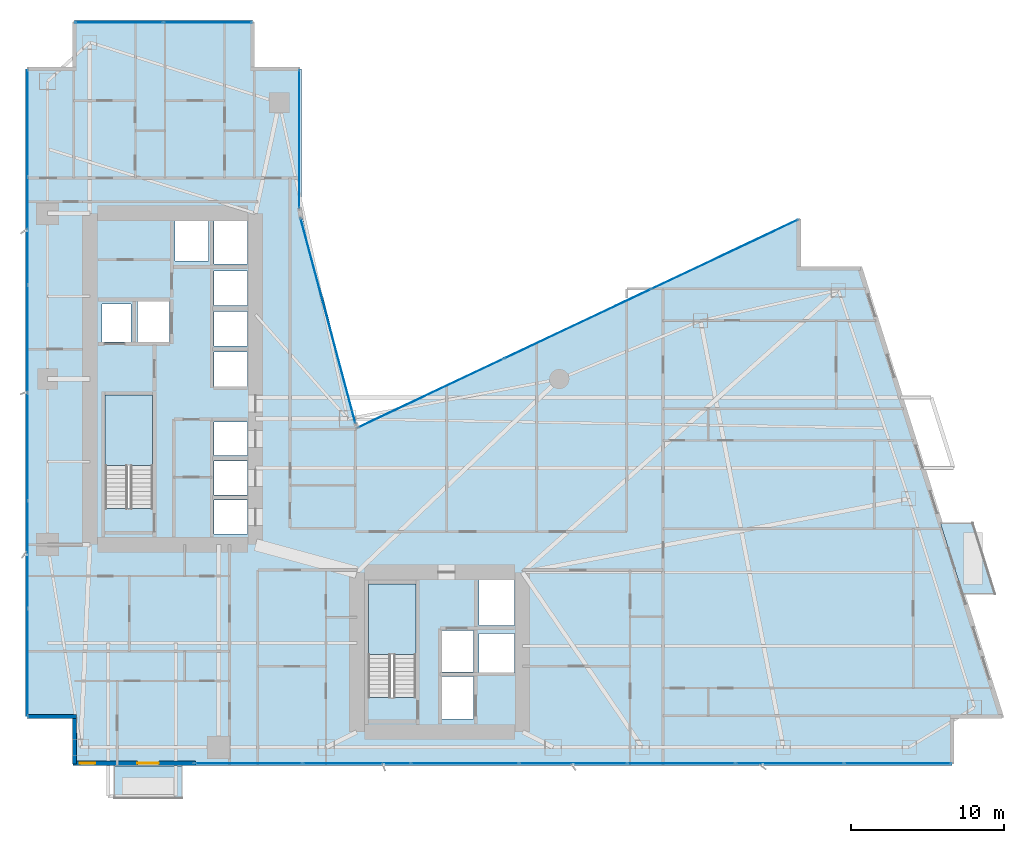
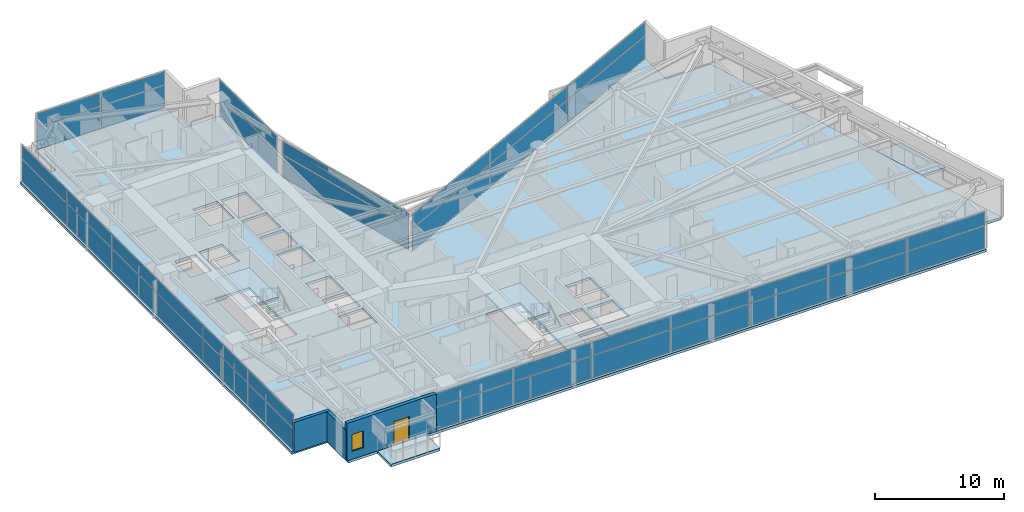
# One storey, part 21 of 29: 40 plates, 5 slabs, 3 walls, 1 door, 1 window, 2 openings, 8 elements without a shape of their own.
"""IFC4 building model written with IfcOpenShell, lengths in metres."""

from ifc_helpers import new_model, si_unit, direction, frame, frame_2d, origin, origin_2d, place, context, subcontext, project, spatial, polyline, rectangle, outline, extrude, material, layer, layer_set, type_object, element, fill, aggregate, save


model = new_model("IFC4")

# Units and contexts
model_context = context("Model", 3, precision=1e-05, world=origin(), true_north=direction((0.0, 1.0)))
body_context = subcontext(model_context, "Body", "Model", "MODEL_VIEW")
ifc_project = project(units=[si_unit("LENGTHUNIT", "METRE"), si_unit("AREAUNIT", "SQUARE_METRE"), si_unit("VOLUMEUNIT", "CUBIC_METRE"), si_unit("PLANEANGLEUNIT", "RADIAN"), si_unit("MASSUNIT", "GRAM", prefix="KILO")], contexts=[model_context])

# Site, building, storey
site_placement = place(None, origin())
site = spatial("IfcSite", under=ifc_project, at=site_placement, CompositionType="ELEMENT")
building_placement = place(site_placement, origin())
building = spatial("IfcBuilding", under=site, at=building_placement, Name="Calvorn Quay Hotel", CompositionType="ELEMENT")
storey_placement = place(building_placement, frame((0.0, 0.0, 62.199951171875)))
storey = spatial("IfcBuildingStorey", under=building, at=storey_placement, Name="L14", CompositionType="ELEMENT", Elevation=62.199951171875)

# Curtain wall, plates
ifc_material_1 = material(Name="Pale Anodised Aluminium and Low-E Glass", Category="aluminium")
ifc_layer_1 = layer(ifc_material_1, 0.219970703125)
ifc_layer_set_1 = layer_set([ifc_layer_1], Name="CW-SYS-Z1")
curtain_wall_type = type_object("IfcCurtainWallType", Name="CW-SYS-Z1", PredefinedType="NOTDEFINED", material=ifc_layer_set_1)
curtain_wall_1_placement = place(storey_placement, origin())
curtain_wall_1 = element("IfcCurtainWall", 1, at=curtain_wall_1_placement, inside=storey, type_object=curtain_wall_type, Name="Tower West Curtain Wall (L14)", PredefinedType="NOTDEFINED")
ifc_material_2 = material(Name="Low-E Laminated Double Glazing", Category="glass")
ifc_layer_2 = layer(ifc_material_2, 0.028076171875)
ifc_layer_set_2 = layer_set([ifc_layer_2], Name="CW-SYS-Z1-PAN")
plate_type = type_object("IfcPlateType", Name="CW-SYS-Z1-PAN", PredefinedType="CURTAIN_PANEL", material=ifc_layer_set_2)
plate_1_placement = place(storey_placement, frame((0.14990234375, 9.131591796875, 0.06005859375), z_axis=(0.0, 0.0, 1.0), x_axis=(0.0, 1.0, 0.0)))
plate_1 = element("IfcPlate", 2, at=plate_1_placement, type_object=plate_type, Name="CW-L14-W panel 1.1", PredefinedType="CURTAIN_PANEL", context=body_context, shape_type="SweptSolid", body=[
    extrude(rectangle(XDim=6.943359375, YDim=0.028076171875, at=origin_2d()), origin(), (0.0, 0.0, 1.0), 2.110107421875),
])
plate_2_placement = place(storey_placement, frame((0.14990234375, 9.131591796875, 2.22998046875), z_axis=(0.0, 0.0, 1.0), x_axis=(0.0, 1.0, 0.0)))
plate_2 = element("IfcPlate", 3, at=plate_2_placement, type_object=plate_type, Name="CW-L14-W panel 1.2", PredefinedType="CURTAIN_PANEL", context=body_context, shape_type="SweptSolid", body=[
    extrude(rectangle(XDim=6.943359375, YDim=0.028076171875, at=origin_2d()), origin(), (0.0, 0.0, 1.0), 1.27001953125),
])
plate_3_placement = place(storey_placement, frame((0.14990234375, 16.14990234375, 0.06005859375), z_axis=(0.0, 0.0, 1.0), x_axis=(0.0, 1.0, 0.0)))
plate_3 = element("IfcPlate", 4, at=plate_3_placement, type_object=plate_type, Name="CW-L14-W panel 2.1", PredefinedType="CURTAIN_PANEL", context=body_context, shape_type="SweptSolid", body=[
    extrude(rectangle(XDim=6.973388671875, YDim=0.028076171875, at=origin_2d()), origin(), (0.0, 0.0, 1.0), 2.110107421875),
])
plate_4_placement = place(storey_placement, frame((0.14990234375, 16.14990234375, 2.22998046875), z_axis=(0.0, 0.0, 1.0), x_axis=(0.0, 1.0, 0.0)))
plate_4 = element("IfcPlate", 5, at=plate_4_placement, type_object=plate_type, Name="CW-L14-W panel 2.2", PredefinedType="CURTAIN_PANEL", context=body_context, shape_type="SweptSolid", body=[
    extrude(rectangle(XDim=6.973388671875, YDim=0.028076171875, at=origin_2d()), origin(), (0.0, 0.0, 1.0), 1.27001953125),
])
plate_5_placement = place(storey_placement, frame((0.14990234375, 23.183349609375, 0.06005859375), z_axis=(0.0, 0.0, 1.0), x_axis=(0.0, 1.0, 0.0)))
plate_5 = element("IfcPlate", 6, at=plate_5_placement, type_object=plate_type, Name="CW-L14-W panel 3.1", PredefinedType="CURTAIN_PANEL", context=body_context, shape_type="SweptSolid", body=[
    extrude(rectangle(XDim=6.973388671875, YDim=0.028076171875, at=origin_2d()), origin(), (0.0, 0.0, 1.0), 2.110107421875),
])
plate_6_placement = place(storey_placement, frame((0.14990234375, 23.183349609375, 2.22998046875), z_axis=(0.0, 0.0, 1.0), x_axis=(0.0, 1.0, 0.0)))
plate_6 = element("IfcPlate", 7, at=plate_6_placement, type_object=plate_type, Name="CW-L14-W panel 3.2", PredefinedType="CURTAIN_PANEL", context=body_context, shape_type="SweptSolid", body=[
    extrude(rectangle(XDim=6.973388671875, YDim=0.028076171875, at=origin_2d()), origin(), (0.0, 0.0, 1.0), 1.27001953125),
])
plate_7_placement = place(storey_placement, frame((0.14990234375, 30.216552734375, 0.06005859375), z_axis=(0.0, 0.0, 1.0), x_axis=(0.0, 1.0, 0.0)))
plate_7 = element("IfcPlate", 8, at=plate_7_placement, type_object=plate_type, Name="CW-L14-W panel 4.1", PredefinedType="CURTAIN_PANEL", context=body_context, shape_type="SweptSolid", body=[
    extrude(rectangle(XDim=6.973388671875, YDim=0.028076171875, at=origin_2d()), origin(), (0.0, 0.0, 1.0), 2.110107421875),
])
plate_8_placement = place(storey_placement, frame((0.14990234375, 30.216552734375, 2.22998046875), z_axis=(0.0, 0.0, 1.0), x_axis=(0.0, 1.0, 0.0)))
plate_8 = element("IfcPlate", 9, at=plate_8_placement, type_object=plate_type, Name="CW-L14-W panel 4.2", PredefinedType="CURTAIN_PANEL", context=body_context, shape_type="SweptSolid", body=[
    extrude(rectangle(XDim=6.973388671875, YDim=0.028076171875, at=origin_2d()), origin(), (0.0, 0.0, 1.0), 1.27001953125),
])
plate_9_placement = place(storey_placement, frame((0.14990234375, 37.25, 0.06005859375), z_axis=(0.0, 0.0, 1.0), x_axis=(0.0, 1.0, 0.0)))
plate_9 = element("IfcPlate", 10, at=plate_9_placement, type_object=plate_type, Name="CW-L14-W panel 5.1", PredefinedType="CURTAIN_PANEL", context=body_context, shape_type="SweptSolid", body=[
    extrude(rectangle(XDim=6.973388671875, YDim=0.028076171875, at=origin_2d()), origin(), (0.0, 0.0, 1.0), 2.110107421875),
])
plate_10_placement = place(storey_placement, frame((0.14990234375, 37.25, 2.22998046875), z_axis=(0.0, 0.0, 1.0), x_axis=(0.0, 1.0, 0.0)))
plate_10 = element("IfcPlate", 11, at=plate_10_placement, type_object=plate_type, Name="CW-L14-W panel 5.2", PredefinedType="CURTAIN_PANEL", context=body_context, shape_type="SweptSolid", body=[
    extrude(rectangle(XDim=6.973388671875, YDim=0.028076171875, at=origin_2d()), origin(), (0.0, 0.0, 1.0), 1.27001953125),
])
plate_11_placement = place(storey_placement, frame((0.14990234375, 44.268310546875, 0.06005859375), z_axis=(0.0, 0.0, 1.0), x_axis=(0.0, 1.0, 0.0)))
plate_11 = element("IfcPlate", 12, at=plate_11_placement, type_object=plate_type, Name="CW-L14-W panel 6.1", PredefinedType="CURTAIN_PANEL", context=body_context, shape_type="SweptSolid", body=[
    extrude(rectangle(XDim=6.943359375, YDim=0.028076171875, at=origin_2d()), origin(), (0.0, 0.0, 1.0), 2.110107421875),
])
plate_12_placement = place(storey_placement, frame((0.14990234375, 44.268310546875, 2.22998046875), z_axis=(0.0, 0.0, 1.0), x_axis=(0.0, 1.0, 0.0)))
plate_12 = element("IfcPlate", 13, at=plate_12_placement, type_object=plate_type, Name="CW-L14-W panel 6.2", PredefinedType="CURTAIN_PANEL", context=body_context, shape_type="SweptSolid", body=[
    extrude(rectangle(XDim=6.943359375, YDim=0.028076171875, at=origin_2d()), origin(), (0.0, 0.0, 1.0), 1.27001953125),
])
aggregate(curtain_wall_1, [plate_1, plate_2, plate_3, plate_4, plate_5, plate_6, plate_7, plate_8, plate_9, plate_10, plate_11, plate_12])

curtain_wall_2_placement = place(storey_placement, origin())
curtain_wall_2 = element("IfcCurtainWall", 14, at=curtain_wall_2_placement, inside=storey, type_object=curtain_wall_type, Name="Tower South Waterfront Curtain Wall (L14)", PredefinedType="NOTDEFINED")
plate_13_placement = place(storey_placement, frame((14.54345703125, 2.550048828125, 0.06005859375), z_axis=(0.0, 0.0, 1.0), x_axis=(1.0, 0.0, 0.0)))
plate_13 = element("IfcPlate", 15, at=plate_13_placement, type_object=plate_type, Name="CW-L14-S panel 1.1", PredefinedType="CURTAIN_PANEL", context=body_context, shape_type="SweptSolid", body=[
    extrude(rectangle(XDim=6.967041015625, YDim=0.028076171875, at=origin_2d()), origin(), (0.0, 0.0, 1.0), 2.110107421875),
])
plate_14_placement = place(storey_placement, frame((14.54345703125, 2.550048828125, 2.22998046875), z_axis=(0.0, 0.0, 1.0), x_axis=(1.0, 0.0, 0.0)))
plate_14 = element("IfcPlate", 16, at=plate_14_placement, type_object=plate_type, Name="CW-L14-S panel 1.2", PredefinedType="CURTAIN_PANEL", context=body_context, shape_type="SweptSolid", body=[
    extrude(rectangle(XDim=6.967041015625, YDim=0.028076171875, at=origin_2d()), origin(), (0.0, 0.0, 1.0), 1.27001953125),
])
plate_15_placement = place(storey_placement, frame((21.585693359375, 2.550048828125, 0.06005859375), z_axis=(0.0, 0.0, 1.0), x_axis=(1.0, 0.0, 0.0)))
plate_15 = element("IfcPlate", 17, at=plate_15_placement, type_object=plate_type, Name="CW-L14-S panel 2.1", PredefinedType="CURTAIN_PANEL", context=body_context, shape_type="SweptSolid", body=[
    extrude(rectangle(XDim=6.9970703125, YDim=0.028076171875, at=origin_2d()), origin(), (0.0, 0.0, 1.0), 2.110107421875),
])
plate_16_placement = place(storey_placement, frame((21.585693359375, 2.550048828125, 2.22998046875), z_axis=(0.0, 0.0, 1.0), x_axis=(1.0, 0.0, 0.0)))
plate_16 = element("IfcPlate", 18, at=plate_16_placement, type_object=plate_type, Name="CW-L14-S panel 2.2", PredefinedType="CURTAIN_PANEL", context=body_context, shape_type="SweptSolid", body=[
    extrude(rectangle(XDim=6.9970703125, YDim=0.028076171875, at=origin_2d()), origin(), (0.0, 0.0, 1.0), 1.27001953125),
])
plate_17_placement = place(storey_placement, frame((28.642822265625, 2.550048828125, 0.06005859375), z_axis=(0.0, 0.0, 1.0), x_axis=(1.0, 0.0, 0.0)))
plate_17 = element("IfcPlate", 19, at=plate_17_placement, type_object=plate_type, Name="CW-L14-S panel 3.1", PredefinedType="CURTAIN_PANEL", context=body_context, shape_type="SweptSolid", body=[
    extrude(rectangle(XDim=6.9970703125, YDim=0.028076171875, at=origin_2d()), origin(), (0.0, 0.0, 1.0), 2.110107421875),
])
plate_18_placement = place(storey_placement, frame((28.642822265625, 2.550048828125, 2.22998046875), z_axis=(0.0, 0.0, 1.0), x_axis=(1.0, 0.0, 0.0)))
plate_18 = element("IfcPlate", 20, at=plate_18_placement, type_object=plate_type, Name="CW-L14-S panel 3.2", PredefinedType="CURTAIN_PANEL", context=body_context, shape_type="SweptSolid", body=[
    extrude(rectangle(XDim=6.9970703125, YDim=0.028076171875, at=origin_2d()), origin(), (0.0, 0.0, 1.0), 1.27001953125),
])
plate_19_placement = place(storey_placement, frame((35.699951171875, 2.550048828125, 0.06005859375), z_axis=(0.0, 0.0, 1.0), x_axis=(1.0, 0.0, 0.0)))
plate_19 = element("IfcPlate", 21, at=plate_19_placement, type_object=plate_type, Name="CW-L14-S panel 4.1", PredefinedType="CURTAIN_PANEL", context=body_context, shape_type="SweptSolid", body=[
    extrude(rectangle(XDim=6.9970703125, YDim=0.028076171875, at=origin_2d()), origin(), (0.0, 0.0, 1.0), 2.110107421875),
])
plate_20_placement = place(storey_placement, frame((35.699951171875, 2.550048828125, 2.22998046875), z_axis=(0.0, 0.0, 1.0), x_axis=(1.0, 0.0, 0.0)))
plate_20 = element("IfcPlate", 22, at=plate_20_placement, type_object=plate_type, Name="CW-L14-S panel 4.2", PredefinedType="CURTAIN_PANEL", context=body_context, shape_type="SweptSolid", body=[
    extrude(rectangle(XDim=6.9970703125, YDim=0.028076171875, at=origin_2d()), origin(), (0.0, 0.0, 1.0), 1.27001953125),
])
plate_21_placement = place(storey_placement, frame((42.757080078125, 2.550048828125, 0.06005859375), z_axis=(0.0, 0.0, 1.0), x_axis=(1.0, 0.0, 0.0)))
plate_21 = element("IfcPlate", 23, at=plate_21_placement, type_object=plate_type, Name="CW-L14-S panel 5.1", PredefinedType="CURTAIN_PANEL", context=body_context, shape_type="SweptSolid", body=[
    extrude(rectangle(XDim=6.9970703125, YDim=0.028076171875, at=origin_2d()), origin(), (0.0, 0.0, 1.0), 2.110107421875),
])
plate_22_placement = place(storey_placement, frame((42.757080078125, 2.550048828125, 2.22998046875), z_axis=(0.0, 0.0, 1.0), x_axis=(1.0, 0.0, 0.0)))
plate_22 = element("IfcPlate", 24, at=plate_22_placement, type_object=plate_type, Name="CW-L14-S panel 5.2", PredefinedType="CURTAIN_PANEL", context=body_context, shape_type="SweptSolid", body=[
    extrude(rectangle(XDim=6.9970703125, YDim=0.028076171875, at=origin_2d()), origin(), (0.0, 0.0, 1.0), 1.27001953125),
])
plate_23_placement = place(storey_placement, frame((49.814208984375, 2.550048828125, 0.06005859375), z_axis=(0.0, 0.0, 1.0), x_axis=(1.0, 0.0, 0.0)))
plate_23 = element("IfcPlate", 25, at=plate_23_placement, type_object=plate_type, Name="CW-L14-S panel 6.1", PredefinedType="CURTAIN_PANEL", context=body_context, shape_type="SweptSolid", body=[
    extrude(rectangle(XDim=6.9970703125, YDim=0.028076171875, at=origin_2d()), origin(), (0.0, 0.0, 1.0), 2.110107421875),
])
plate_24_placement = place(storey_placement, frame((49.814208984375, 2.550048828125, 2.22998046875), z_axis=(0.0, 0.0, 1.0), x_axis=(1.0, 0.0, 0.0)))
plate_24 = element("IfcPlate", 26, at=plate_24_placement, type_object=plate_type, Name="CW-L14-S panel 6.2", PredefinedType="CURTAIN_PANEL", context=body_context, shape_type="SweptSolid", body=[
    extrude(rectangle(XDim=6.9970703125, YDim=0.028076171875, at=origin_2d()), origin(), (0.0, 0.0, 1.0), 1.27001953125),
])
plate_25_placement = place(storey_placement, frame((56.8564453125, 2.550048828125, 0.06005859375), z_axis=(0.0, 0.0, 1.0), x_axis=(1.0, 0.0, 0.0)))
plate_25 = element("IfcPlate", 27, at=plate_25_placement, type_object=plate_type, Name="CW-L14-S panel 7.1", PredefinedType="CURTAIN_PANEL", context=body_context, shape_type="SweptSolid", body=[
    extrude(rectangle(XDim=6.967041015625, YDim=0.028076171875, at=origin_2d()), origin(), (0.0, 0.0, 1.0), 2.110107421875),
])
plate_26_placement = place(storey_placement, frame((56.8564453125, 2.550048828125, 2.22998046875), z_axis=(0.0, 0.0, 1.0), x_axis=(1.0, 0.0, 0.0)))
plate_26 = element("IfcPlate", 28, at=plate_26_placement, type_object=plate_type, Name="CW-L14-S panel 7.2", PredefinedType="CURTAIN_PANEL", context=body_context, shape_type="SweptSolid", body=[
    extrude(rectangle(XDim=6.967041015625, YDim=0.028076171875, at=origin_2d()), origin(), (0.0, 0.0, 1.0), 1.27001953125),
])
aggregate(curtain_wall_2, [plate_13, plate_14, plate_15, plate_16, plate_17, plate_18, plate_19, plate_20, plate_21, plate_22, plate_23, plate_24, plate_25, plate_26])

curtain_wall_3_placement = place(storey_placement, origin())
curtain_wall_3 = element("IfcCurtainWall", 29, at=curtain_wall_3_placement, inside=storey, type_object=curtain_wall_type, Name="Inner Court Curtain Wall L14-NE1", PredefinedType="NOTDEFINED")
plate_27_placement = place(storey_placement, frame((45.58642578125, 35.726806640625, 0.06005859375), z_axis=(0.0, 0.0, 1.0), x_axis=(-0.904248646743, -0.427006305415, 0.0)))
plate_27 = element("IfcPlate", 30, at=plate_27_placement, type_object=plate_type, Name="CW-L14-NE1 panel 1.1", PredefinedType="CURTAIN_PANEL", context=body_context, shape_type="SweptSolid", body=[
    extrude(rectangle(XDim=10.526611328125, YDim=0.028076171875, at=origin_2d()), origin(), (0.0, 0.0, 1.0), 2.110107421875),
])
plate_28_placement = place(storey_placement, frame((45.58642578125, 35.726806640625, 2.22998046875), z_axis=(0.0, 0.0, 1.0), x_axis=(-0.904248646743, -0.427006305415, 0.0)))
plate_28 = element("IfcPlate", 31, at=plate_28_placement, type_object=plate_type, Name="CW-L14-NE1 panel 1.2", PredefinedType="CURTAIN_PANEL", context=body_context, shape_type="SweptSolid", body=[
    extrude(rectangle(XDim=10.526611328125, YDim=0.028076171875, at=origin_2d()), origin(), (0.0, 0.0, 1.0), 1.27001953125),
])
plate_29_placement = place(storey_placement, frame((36.0, 31.199951171875, 0.06005859375), z_axis=(0.0, 0.0, 1.0), x_axis=(-0.904248646743, -0.427006305415, 0.0)))
plate_29 = element("IfcPlate", 32, at=plate_29_placement, type_object=plate_type, Name="CW-L14-NE1 panel 2.1", PredefinedType="CURTAIN_PANEL", context=body_context, shape_type="SweptSolid", body=[
    extrude(rectangle(XDim=10.556640625, YDim=0.028076171875, at=origin_2d()), origin(), (0.0, 0.0, 1.0), 2.110107421875),
])
plate_30_placement = place(storey_placement, frame((36.0, 31.199951171875, 2.22998046875), z_axis=(0.0, 0.0, 1.0), x_axis=(-0.904248646743, -0.427006305415, 0.0)))
plate_30 = element("IfcPlate", 33, at=plate_30_placement, type_object=plate_type, Name="CW-L14-NE1 panel 2.2", PredefinedType="CURTAIN_PANEL", context=body_context, shape_type="SweptSolid", body=[
    extrude(rectangle(XDim=10.556640625, YDim=0.028076171875, at=origin_2d()), origin(), (0.0, 0.0, 1.0), 1.27001953125),
])
plate_31_placement = place(storey_placement, frame((26.41357421875, 26.673095703125, 0.06005859375), z_axis=(0.0, 0.0, 1.0), x_axis=(-0.904248646743, -0.427006305415, 0.0)))
plate_31 = element("IfcPlate", 34, at=plate_31_placement, type_object=plate_type, Name="CW-L14-NE1 panel 3.1", PredefinedType="CURTAIN_PANEL", context=body_context, shape_type="SweptSolid", body=[
    extrude(rectangle(XDim=10.526611328125, YDim=0.028076171875, at=origin_2d()), origin(), (0.0, 0.0, 1.0), 2.110107421875),
])
plate_32_placement = place(storey_placement, frame((26.41357421875, 26.673095703125, 2.22998046875), z_axis=(0.0, 0.0, 1.0), x_axis=(-0.904248646743, -0.427006305415, 0.0)))
plate_32 = element("IfcPlate", 35, at=plate_32_placement, type_object=plate_type, Name="CW-L14-NE1 panel 3.2", PredefinedType="CURTAIN_PANEL", context=body_context, shape_type="SweptSolid", body=[
    extrude(rectangle(XDim=10.526611328125, YDim=0.028076171875, at=origin_2d()), origin(), (0.0, 0.0, 1.0), 1.27001953125),
])
aggregate(curtain_wall_3, [plate_27, plate_28, plate_29, plate_30, plate_31, plate_32])

curtain_wall_4_placement = place(storey_placement, origin())
curtain_wall_4 = element("IfcCurtainWall", 36, at=curtain_wall_4_placement, inside=storey, type_object=curtain_wall_type, Name="Inner Court Curtain Wall L14-IC1", PredefinedType="NOTDEFINED")
plate_33_placement = place(storey_placement, frame((19.72509765625, 31.39990234375, 0.06005859375), z_axis=(0.0, 0.0, 1.0), x_axis=(-0.25877913024, 0.96593652056, 0.0)))
plate_33 = element("IfcPlate", 37, at=plate_33_placement, type_object=plate_type, Name="CW-L14-IC1 panel 1.1", PredefinedType="CURTAIN_PANEL", context=body_context, shape_type="SweptSolid", body=[
    extrude(rectangle(XDim=13.814697265625, YDim=0.028076171875, at=origin_2d()), origin(), (0.0, 0.0, 1.0), 2.110107421875),
])
plate_34_placement = place(storey_placement, frame((19.72509765625, 31.39990234375, 2.22998046875), z_axis=(0.0, 0.0, 1.0), x_axis=(-0.25877913024, 0.96593652056, 0.0)))
plate_34 = element("IfcPlate", 38, at=plate_34_placement, type_object=plate_type, Name="CW-L14-IC1 panel 1.2", PredefinedType="CURTAIN_PANEL", context=body_context, shape_type="SweptSolid", body=[
    extrude(rectangle(XDim=13.814697265625, YDim=0.028076171875, at=origin_2d()), origin(), (0.0, 0.0, 1.0), 1.27001953125),
])
aggregate(curtain_wall_4, [plate_33, plate_34])

curtain_wall_5_placement = place(storey_placement, origin())
curtain_wall_5 = element("IfcCurtainWall", 39, at=curtain_wall_5_placement, inside=storey, type_object=curtain_wall_type, Name="Inner Court Curtain Wall L14-IC2", PredefinedType="NOTDEFINED")
plate_35_placement = place(storey_placement, frame((17.85009765625, 43.239990234375, 0.06005859375), z_axis=(0.0, 0.0, 1.0), x_axis=(0.0, 1.0, 0.0)))
plate_35 = element("IfcPlate", 40, at=plate_35_placement, type_object=plate_type, Name="CW-L14-IC2 panel 1.1", PredefinedType="CURTAIN_PANEL", context=body_context, shape_type="SweptSolid", body=[
    extrude(rectangle(XDim=9.0, YDim=0.028076171875, at=origin_2d()), origin(), (0.0, 0.0, 1.0), 2.110107421875),
])
plate_36_placement = place(storey_placement, frame((17.85009765625, 43.239990234375, 2.22998046875), z_axis=(0.0, 0.0, 1.0), x_axis=(0.0, 1.0, 0.0)))
plate_36 = element("IfcPlate", 41, at=plate_36_placement, type_object=plate_type, Name="CW-L14-IC2 panel 1.2", PredefinedType="CURTAIN_PANEL", context=body_context, shape_type="SweptSolid", body=[
    extrude(rectangle(XDim=9.0, YDim=0.028076171875, at=origin_2d()), origin(), (0.0, 0.0, 1.0), 1.27001953125),
])
aggregate(curtain_wall_5, [plate_35, plate_36])

curtain_wall_6_placement = place(storey_placement, origin())
curtain_wall_6 = element("IfcCurtainWall", 42, at=curtain_wall_6_placement, inside=storey, type_object=curtain_wall_type, Name="Inner Court Curtain Wall L14-N1", PredefinedType="NOTDEFINED")
plate_37_placement = place(storey_placement, frame((11.885009765625, 50.85009765625, 0.06005859375), z_axis=(0.0, 0.0, 1.0), x_axis=(-1.0, 0.0, 0.0)))
plate_37 = element("IfcPlate", 43, at=plate_37_placement, type_object=plate_type, Name="CW-L14-N1 panel 1.1", PredefinedType="CURTAIN_PANEL", context=body_context, shape_type="SweptSolid", body=[
    extrude(rectangle(XDim=5.7099609375, YDim=0.028076171875, at=origin_2d()), origin(), (0.0, 0.0, 1.0), 2.110107421875),
])
plate_38_placement = place(storey_placement, frame((11.885009765625, 50.85009765625, 2.22998046875), z_axis=(0.0, 0.0, 1.0), x_axis=(-1.0, 0.0, 0.0)))
plate_38 = element("IfcPlate", 44, at=plate_38_placement, type_object=plate_type, Name="CW-L14-N1 panel 1.2", PredefinedType="CURTAIN_PANEL", context=body_context, shape_type="SweptSolid", body=[
    extrude(rectangle(XDim=5.7099609375, YDim=0.028076171875, at=origin_2d()), origin(), (0.0, 0.0, 1.0), 1.27001953125),
])
plate_39_placement = place(storey_placement, frame((6.114990234375, 50.85009765625, 0.06005859375), z_axis=(0.0, 0.0, 1.0), x_axis=(-1.0, 0.0, 0.0)))
plate_39 = element("IfcPlate", 45, at=plate_39_placement, type_object=plate_type, Name="CW-L14-N1 panel 2.1", PredefinedType="CURTAIN_PANEL", context=body_context, shape_type="SweptSolid", body=[
    extrude(rectangle(XDim=5.7099609375, YDim=0.028076171875, at=origin_2d()), origin(), (0.0, 0.0, 1.0), 2.110107421875),
])
plate_40_placement = place(storey_placement, frame((6.114990234375, 50.85009765625, 2.22998046875), z_axis=(0.0, 0.0, 1.0), x_axis=(-1.0, 0.0, 0.0)))
plate_40 = element("IfcPlate", 46, at=plate_40_placement, type_object=plate_type, Name="CW-L14-N1 panel 2.2", PredefinedType="CURTAIN_PANEL", context=body_context, shape_type="SweptSolid", body=[
    extrude(rectangle(XDim=5.7099609375, YDim=0.028076171875, at=origin_2d()), origin(), (0.0, 0.0, 1.0), 1.27001953125),
])
aggregate(curtain_wall_6, [plate_37, plate_38, plate_39, plate_40])

# Slabs
ifc_material_3 = material(Name="Concrete C40", Category="concrete")
ifc_layer_3 = layer(ifc_material_3, 0.239990234375)
ifc_layer_set_3 = layer_set([ifc_layer_3], Name="SLB-BALCONY-220")
slab_type_1 = type_object("IfcSlabType", Name="SLB-BALCONY-220", PredefinedType="FLOOR", material=ifc_layer_set_3)
slab_1_placement = place(storey_placement, frame((0.0, 0.0, -0.239990234375)))
element("IfcSlab", 47, at=slab_1_placement, inside=storey, type_object=slab_type_1, Name="Tree Balcony Slab L14-BALC-E", PredefinedType="FLOOR", context=body_context, shape_type="SweptSolid", body=[
    extrude(outline(polyline([(61.089111328125, 13.60009765625), (63.18896484375, 13.60009765625), (61.739990234375, 18.199951171875), (59.639892578125, 18.199951171875), (61.089111328125, 13.60009765625)])), origin(), (0.0, 0.0, 1.0), 0.239990234375),
])
slab_2_placement = place(storey_placement, frame((0.0, 0.0, -0.239990234375)))
element("IfcSlab", 48, at=slab_2_placement, inside=storey, type_object=slab_type_1, Name="Tree Balcony Slab L14-BALC-S", PredefinedType="FLOOR", context=body_context, shape_type="SweptSolid", body=[
    extrude(outline(polyline([(5.800048828125, 0.2900390625), (10.199951171875, 0.2900390625), (10.199951171875, 2.389892578125), (5.800048828125, 2.389892578125), (5.800048828125, 0.2900390625)])), origin(), (0.0, 0.0, 1.0), 0.239990234375),
])

# Stair, slab
ifc_material_4 = material(Name="Concrete C40", Category="concrete")
stair_type = type_object("IfcStairType", Name="STR-CORE-DOGLEG", PredefinedType="HALF_TURN_STAIR", material=ifc_material_4)
stair_1_placement = place(storey_placement, origin())
stair_1 = element("IfcStair", 49, at=stair_1_placement, inside=storey, type_object=stair_type, Name="L14 ST-W", PredefinedType="HALF_TURN_STAIR")
ifc_material_5 = material(Name="Concrete C40", Category="concrete")
ifc_layer_4 = layer(ifc_material_5, 0.199951171875)
ifc_layer_set_4 = layer_set([ifc_layer_4], Name="SLB-STAIR-LANDING-200")
slab_type_2 = type_object("IfcSlabType", Name="SLB-STAIR-LANDING-200", PredefinedType="LANDING", material=ifc_layer_set_4)
slab_3_placement = place(storey_placement, frame((0.0, 0.0, 1.699951171875)))
slab_3 = element("IfcSlab", 50, at=slab_3_placement, type_object=slab_type_2, Name="ST-W landing 1", PredefinedType="LANDING", context=body_context, shape_type="SweptSolid", body=[
    extrude(outline(polyline([(8.300048828125, 21.949951171875), (8.300048828125, 26.550048828125), (5.199951171875, 26.550048828125), (5.199951171875, 21.949951171875), (8.300048828125, 21.949951171875)])), origin(), (0.0, 0.0, 1.0), 0.2001953125),
])
aggregate(stair_1, [slab_3])

stair_2_placement = place(storey_placement, origin())
stair_2 = element("IfcStair", 51, at=stair_2_placement, inside=storey, type_object=stair_type, Name="L14 ST-E", PredefinedType="HALF_TURN_STAIR")
slab_4_placement = place(storey_placement, frame((0.0, 0.0, 1.699951171875)))
slab_4 = element("IfcSlab", 52, at=slab_4_placement, type_object=slab_type_2, Name="ST-E landing 1", PredefinedType="LANDING", context=body_context, shape_type="SweptSolid", body=[
    extrude(outline(polyline([(25.449951171875, 9.64990234375), (25.449951171875, 14.25), (22.35009765625, 14.25), (22.35009765625, 9.64990234375), (25.449951171875, 9.64990234375)])), origin(), (0.0, 0.0, 1.0), 0.2001953125),
])
aggregate(stair_2, [slab_4])

# Slab
ifc_material_6 = material(Name="Concrete C40", Category="concrete")
ifc_layer_5 = layer(ifc_material_6, 0.239990234375)
ifc_layer_set_5 = layer_set([ifc_layer_5], Name="SLB-TOWER-240")
slab_type_3 = type_object("IfcSlabType", Name="SLB-TOWER-240", PredefinedType="FLOOR", material=ifc_layer_set_5)
slab_5_placement = place(storey_placement, frame((0.0, 0.0, -0.239990234375)))
element("IfcSlab", 53, at=slab_5_placement, inside=storey, type_object=slab_type_3, Name="L14 Structural Floor Slab", PredefinedType="FLOOR", context=body_context, shape_type="SweptSolid", body=[
    extrude(outline(polyline([(0.0, 5.60009765625), (3.199951171875, 5.60009765625), (3.199951171875, 2.39990234375), (60.39990234375, 2.39990234375), (60.39990234375, 5.60009765625), (63.60009765625, 5.60009765625), (54.39990234375, 34.800048828125), (50.39990234375, 34.800048828125), (50.39990234375, 38.0), (21.60009765625, 24.39990234375), (18.0, 38.39990234375), (18.0, 47.800048828125), (14.800048828125, 47.800048828125), (14.800048828125, 51.0), (3.199951171875, 51.0), (3.199951171875, 47.800048828125), (0.0, 47.800048828125), (0.0, 5.60009765625)]), holes=[polyline([(5.199951171875, 19.156005859375), (8.300048828125, 19.156005859375), (8.300048828125, 26.550048828125), (5.199951171875, 26.550048828125), (5.199951171875, 19.156005859375)]), polyline([(22.35009765625, 6.85595703125), (25.449951171875, 6.85595703125), (25.449951171875, 14.25), (22.35009765625, 14.25), (22.35009765625, 6.85595703125)]), polyline([(5.0, 30.0), (6.89990234375, 30.0), (6.89990234375, 32.5), (5.0, 32.5), (5.0, 30.0)]), polyline([(7.300048828125, 30.0), (9.39990234375, 30.0), (9.39990234375, 32.64990234375), (7.300048828125, 32.64990234375), (7.300048828125, 30.0)]), polyline([(27.159912109375, 8.5), (29.2099609375, 8.5), (29.2099609375, 11.199951171875), (27.159912109375, 11.199951171875), (27.159912109375, 8.5)]), polyline([(27.159912109375, 5.449951171875), (29.2099609375, 5.449951171875), (29.2099609375, 8.199951171875), (27.159912109375, 8.199951171875), (27.159912109375, 5.449951171875)]), polyline([(12.300048828125, 17.5), (14.489990234375, 17.5), (14.489990234375, 19.699951171875), (12.300048828125, 19.699951171875), (12.300048828125, 17.5)]), polyline([(12.300048828125, 20.050048828125), (14.489990234375, 20.050048828125), (14.489990234375, 22.25), (12.300048828125, 22.25), (12.300048828125, 20.050048828125)]), polyline([(12.300048828125, 22.60009765625), (14.489990234375, 22.60009765625), (14.489990234375, 24.800048828125), (12.300048828125, 24.800048828125), (12.300048828125, 22.60009765625)]), polyline([(12.300048828125, 27.10009765625), (14.489990234375, 27.10009765625), (14.489990234375, 29.35009765625), (12.300048828125, 29.35009765625), (12.300048828125, 27.10009765625)]), polyline([(12.300048828125, 29.75), (14.489990234375, 29.75), (14.489990234375, 32.0), (12.300048828125, 32.0), (12.300048828125, 29.75)]), polyline([(12.300048828125, 32.39990234375), (14.489990234375, 32.39990234375), (14.489990234375, 34.64990234375), (12.300048828125, 34.64990234375), (12.300048828125, 32.39990234375)]), polyline([(12.300048828125, 35.10009765625), (14.489990234375, 35.10009765625), (14.489990234375, 37.889892578125), (12.300048828125, 37.889892578125), (12.300048828125, 35.10009765625)]), polyline([(9.75, 35.300048828125), (11.949951171875, 35.300048828125), (11.949951171875, 37.889892578125), (9.75, 37.889892578125), (9.75, 35.300048828125)]), polyline([(29.550048828125, 11.550048828125), (31.889892578125, 11.550048828125), (31.889892578125, 14.489990234375), (29.550048828125, 14.489990234375), (29.550048828125, 11.550048828125)]), polyline([(29.550048828125, 8.449951171875), (31.889892578125, 8.449951171875), (31.889892578125, 11.0), (29.550048828125, 11.0), (29.550048828125, 8.449951171875)])]), origin(), (0.0, 0.0, 1.0), 0.239990234375),
])

# Wall, openings, door, window
ifc_material_7 = material(Name="Concrete C40", Category="concrete")
ifc_layer_6 = layer(ifc_material_7, 0.320068359375)
ifc_layer_set_6 = layer_set([ifc_layer_6], Name="WL-EXT-SPANDREL-320")
wall_type = type_object("IfcWallType", Name="WL-EXT-SPANDREL-320", PredefinedType="SOLIDWALL", material=ifc_layer_set_6)
wall_1_placement = place(storey_placement, frame((3.10009765625, 2.56005859375, 0.0), z_axis=(0.0, 0.0, 1.0), x_axis=(1.0, 0.0, 0.0)))
wall_1 = element("IfcWall", 54, at=wall_1_placement, inside=storey, type_object=wall_type, Name="South Balcony Exterior Wall (L14)", PredefinedType="SOLIDWALL", context=body_context, shape_type="SweptSolid", body=[
    extrude(rectangle(XDim=8.0, YDim=0.320068359375, at=frame_2d((4.0, 0.0))), origin(), (0.0, 0.0, 1.0), 3.56005859375),
])
opening_1_placement = place(wall_1_placement, frame((0.449951171875, 0.0, 0.75)))
opening_1 = element("IfcOpeningElement", 55, at=opening_1_placement, cuts=wall_1, Name="Opening WSB-L14-1", PredefinedType="OPENING", context=body_context, shape_type="SweptSolid", body=[
    extrude(rectangle(XDim=1.0, YDim=1.60009765625, at=frame_2d((0.5, 0.800048828125))), frame((0.0, 0.169921875, 0.0), z_axis=(0.0, -1.0, 0.0), x_axis=(1.0, 0.0, 0.0)), (0.0, 0.0, 1.0), 0.340087890625),
])
opening_2_placement = place(wall_1_placement, frame((4.199951171875, 0.0, 0.0)))
opening_2 = element("IfcOpeningElement", 56, at=opening_2_placement, cuts=wall_1, Name="Opening DB-L14-2", PredefinedType="OPENING", context=body_context, shape_type="SweptSolid", body=[
    extrude(rectangle(XDim=1.39990234375, YDim=2.25, at=frame_2d((0.699951171875, 1.125))), frame((0.0, 0.169921875, 0.0), z_axis=(0.0, -1.0, 0.0), x_axis=(1.0, 0.0, 0.0)), (0.0, 0.0, 1.0), 0.340087890625),
])
ifc_material_8 = material(Name="Typhoon-Rated Low-E Aluminium Terrace Door", Category="aluminium")
door_type = type_object("IfcDoorType", Name="DR-BALCONY-GLZ-1400", OperationType="NOTDEFINED", PredefinedType="DOOR", material=ifc_material_8)
door_placement = place(opening_2_placement, origin())
door = element("IfcDoor", 57, at=door_placement, inside=storey, type_object=door_type, Name="Tree Balcony Terrace Door L14-BALC-S", OperationType="SINGLE_SWING_LEFT", OverallHeight=2.25, OverallWidth=1.39990234375, PredefinedType="DOOR", context=body_context, shape_type="SweptSolid", body=[
    extrude(rectangle(XDim=1.39990234375, YDim=2.25, at=frame_2d((0.699951171875, 1.125))), frame((0.0, 0.02490234375, 0.0), z_axis=(0.0, -1.0, 0.0), x_axis=(1.0, 0.0, 0.0)), (0.0, 0.0, 1.0), 0.050048828125),
])
fill(opening_2, door)
ifc_material_9 = material(Name="Self-Closing Class B Side Fire Window")
window_type = type_object("IfcWindowType", Name="WIN-REFUGE-NARROW-1000x1600", PartitioningType="SINGLE_PANEL", PredefinedType="WINDOW", material=ifc_material_9)
window_placement = place(opening_1_placement, origin())
window = element("IfcWindow", 58, at=window_placement, inside=storey, type_object=window_type, Name="South Waterfront Side Window (L14)", OverallHeight=1.60009765625, OverallWidth=1.0, PartitioningType="SINGLE_PANEL", PredefinedType="WINDOW", context=body_context, shape_type="SweptSolid", body=[
    extrude(rectangle(XDim=1.0, YDim=1.60009765625, at=frame_2d((0.5, 0.800048828125))), frame((0.0, 0.030029296875, 0.0), z_axis=(0.0, -1.0, 0.0), x_axis=(1.0, 0.0, 0.0)), (0.0, 0.0, 1.0), 0.06005859375),
])
fill(opening_1, window)

# Walls
wall_2_placement = place(storey_placement, frame((0.1201171875, 5.60009765625, 0.0), z_axis=(0.0, 0.0, 1.0), x_axis=(1.0, 0.0, 0.0)))
element("IfcWall", 59, at=wall_2_placement, inside=storey, type_object=wall_type, Name="Notched Corner Spandrel L14-SW1", PredefinedType="SOLIDWALL", context=body_context, shape_type="SweptSolid", body=[
    extrude(rectangle(XDim=3.219970703125, YDim=0.280029296875, at=frame_2d((1.60986328125, 0.0))), origin(), (0.0, 0.0, 1.0), 2.840087890625),
])
wall_3_placement = place(storey_placement, frame((3.199951171875, 5.4599609375, 0.0), z_axis=(0.0, 0.0, 1.0), x_axis=(0.0, -1.0, 0.0)))
element("IfcWall", 60, at=wall_3_placement, inside=storey, type_object=wall_type, Name="Notched Corner Spandrel L14-SW2", PredefinedType="SOLIDWALL", context=body_context, shape_type="SweptSolid", body=[
    extrude(rectangle(XDim=2.93994140625, YDim=0.280029296875, at=frame_2d((1.469970703125, 0.0))), origin(), (0.0, 0.0, 1.0), 2.840087890625),
])

save(model, "model.ifc")
